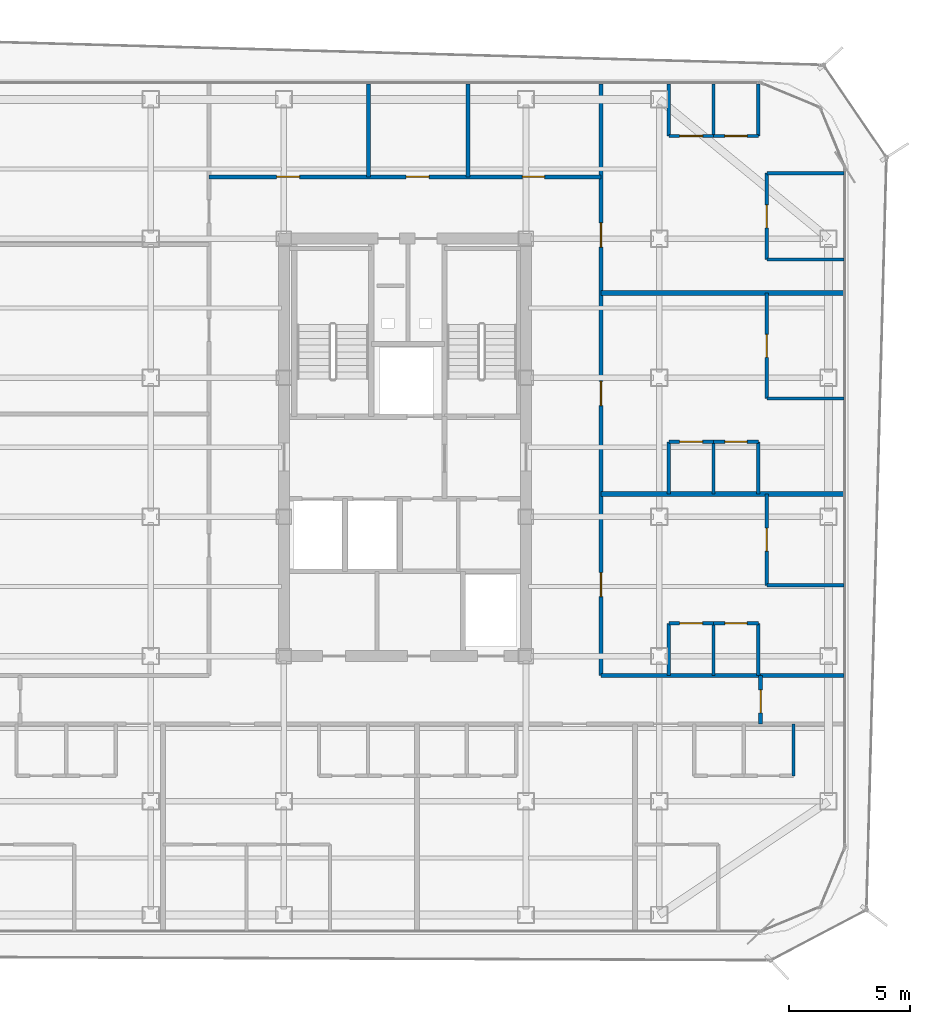
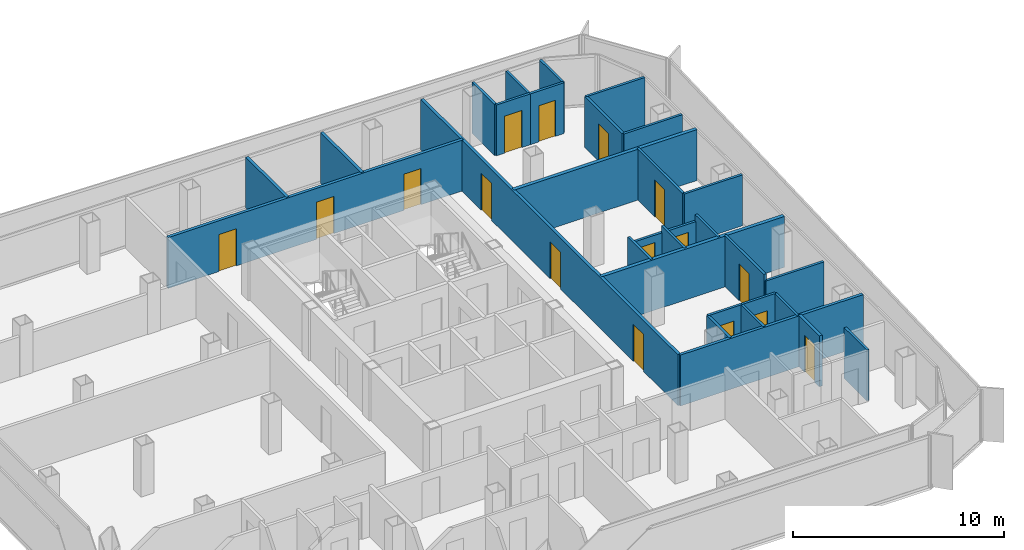
# One storey, part 12 of 16: 32 walls, 16 doors, 16 openings.
"""IFC4 building model written with IfcOpenShell, lengths in metres."""

from ifc_helpers import new_model, si_unit, direction, frame, frame_2d, origin, place, context, subcontext, project, spatial, rectangle, extrude, material, layer, layer_set, type_object, element, fill, save


model = new_model("IFC4")

# Units and contexts
model_context = context("Model", 3, precision=1e-05, world=origin(), true_north=direction((0.0, 1.0)))
body_context = subcontext(model_context, "Body", "Model", "MODEL_VIEW")
ifc_project = project(units=[si_unit("LENGTHUNIT", "METRE"), si_unit("AREAUNIT", "SQUARE_METRE"), si_unit("VOLUMEUNIT", "CUBIC_METRE"), si_unit("PLANEANGLEUNIT", "RADIAN"), si_unit("MASSUNIT", "GRAM", prefix="KILO")], contexts=[model_context])

# Site, building, storey
site_placement = place(None, origin())
site = spatial("IfcSite", under=ifc_project, at=site_placement, CompositionType="ELEMENT")
building_placement = place(site_placement, origin())
building = spatial("IfcBuilding", under=site, at=building_placement, Name="Kolveth Station Tower", CompositionType="ELEMENT")
storey_placement = place(building_placement, frame((0.0, 0.0, 175.300048828125)))
storey = spatial("IfcBuildingStorey", under=building, at=storey_placement, Name="L49", CompositionType="ELEMENT", Elevation=175.300048828125)

# Wall
ifc_material_1 = material(Name="Moisture-resistant gypsum partition")
ifc_layer_1 = layer(ifc_material_1, 0.135009765625)
ifc_layer_set_1 = layer_set([ifc_layer_1], Name="Moisture-resistant gypsum partition")
wall_type_1 = type_object("IfcWallType", Name="Wall_IW-135", PredefinedType="PARTITIONING", material=ifc_layer_set_1)
wall_1_placement = place(storey_placement, frame((39.550048828125, 6.550048828125, 0.0), z_axis=(0.0, 0.0, 1.0), x_axis=(0.0, 1.0, 0.0)))
element("IfcWall", 1, at=wall_1_placement, inside=storey, type_object=wall_type_1, Name="L49 Partition Wall WL-L49-A4-IBV2", PredefinedType="PARTITIONING", context=body_context, shape_type="SweptSolid", body=[
    extrude(rectangle(XDim=2.14990234375, YDim=0.135009765625, at=frame_2d((1.074951171875, 0.0))), origin(), (0.0, 0.0, 1.0), 2.949951171875),
])

# Wall, opening, door
wall_2_placement = place(storey_placement, frame((34.39990234375, 12.85009765625, 0.0), z_axis=(0.0, 0.0, 1.0), x_axis=(1.0, 0.0, 0.0)))
wall_2 = element("IfcWall", 2, at=wall_2_placement, inside=storey, type_object=wall_type_1, Name="L49 Partition Wall WL-L49-E1-IBHK", PredefinedType="PARTITIONING", context=body_context, shape_type="SweptSolid", body=[
    extrude(rectangle(XDim=1.85009765625, YDim=0.135009765625, at=frame_2d((0.925048828125, 0.0))), origin(), (0.0, 0.0, 1.0), 2.949951171875),
])
opening_1_placement = place(wall_2_placement, frame((0.445068359375, 0.0, 0.0)))
opening_1 = element("IfcOpeningElement", 3, at=opening_1_placement, cuts=wall_2, Name="Opening ID1", PredefinedType="OPENING", context=body_context, shape_type="SweptSolid", body=[
    extrude(rectangle(XDim=0.949951171875, YDim=2.14990234375, at=frame_2d((0.47509765625, 1.074951171875))), frame((0.0, 0.077392578125, 0.0), z_axis=(0.0, -1.0, 0.0), x_axis=(1.0, 0.0, 0.0)), (0.0, 0.0, 1.0), 0.155029296875),
])
ifc_material_2 = material(Name="Acoustic hardwood leaf and aluminium frame", Category="wood")
door_type_1 = type_object("IfcDoorType", Name="Door_ID1", OperationType="NOTDEFINED", PredefinedType="DOOR", material=ifc_material_2)
door_1_placement = place(opening_1_placement, origin())
door_1 = element("IfcDoor", 4, at=door_1_placement, inside=storey, type_object=door_type_1, Name="Flat L49-E1 Kitchen Door", OperationType="SINGLE_SWING_LEFT", OverallHeight=2.14990234375, OverallWidth=0.949951171875, PredefinedType="DOOR", context=body_context, shape_type="SweptSolid", body=[
    extrude(rectangle(XDim=0.949951171875, YDim=2.14990234375, at=frame_2d((0.47509765625, 1.074951171875))), frame((0.0, 0.02490234375, 0.0), z_axis=(0.0, -1.0, 0.0), x_axis=(1.0, 0.0, 0.0)), (0.0, 0.0, 1.0), 0.050048828125),
])
fill(opening_1, door_1)

wall_3_placement = place(storey_placement, frame((36.25, 12.85009765625, 0.0), z_axis=(0.0, 0.0, 1.0), x_axis=(1.0, 0.0, 0.0)))
wall_3 = element("IfcWall", 5, at=wall_3_placement, inside=storey, type_object=wall_type_1, Name="L49 Partition Wall WL-L49-E1-IBHB", PredefinedType="PARTITIONING", context=body_context, shape_type="SweptSolid", body=[
    extrude(rectangle(XDim=1.85009765625, YDim=0.135009765625, at=frame_2d((0.925048828125, 0.0))), origin(), (0.0, 0.0, 1.0), 2.949951171875),
])
opening_2_placement = place(wall_3_placement, frame((0.465087890625, 0.0, 0.0)))
opening_2 = element("IfcOpeningElement", 6, at=opening_2_placement, cuts=wall_3, Name="Opening ID2", PredefinedType="OPENING", context=body_context, shape_type="SweptSolid", body=[
    extrude(rectangle(XDim=0.919921875, YDim=2.10009765625, at=frame_2d((0.4599609375, 1.050048828125))), frame((0.0, 0.077392578125, 0.0), z_axis=(0.0, -1.0, 0.0), x_axis=(1.0, 0.0, 0.0)), (0.0, 0.0, 1.0), 0.155029296875),
])
ifc_material_3 = material(Name="Moisture-resistant hardwood leaf", Category="wood")
door_type_2 = type_object("IfcDoorType", Name="Door_ID2", OperationType="NOTDEFINED", PredefinedType="DOOR", material=ifc_material_3)
door_2_placement = place(opening_2_placement, origin())
door_2 = element("IfcDoor", 7, at=door_2_placement, inside=storey, type_object=door_type_2, Name="Flat L49-E1 Bathroom Door", OperationType="SINGLE_SWING_LEFT", OverallHeight=2.10009765625, OverallWidth=0.919921875, PredefinedType="DOOR", context=body_context, shape_type="SweptSolid", body=[
    extrude(rectangle(XDim=0.919921875, YDim=2.10009765625, at=frame_2d((0.4599609375, 1.050048828125))), frame((0.0, 0.02490234375, 0.0), z_axis=(0.0, -1.0, 0.0), x_axis=(1.0, 0.0, 0.0)), (0.0, 0.0, 1.0), 0.050048828125),
])
fill(opening_2, door_2)

# Walls
for number, where, z_axis, x_axis, name in (
    (8, (34.39990234375, 10.699951171875, 0.0), (0.0, 0.0, 1.0), (0.0, 1.0, 0.0), "L49 Partition Wall WL-L49-E1-IBV0"),
    (9, (36.25, 10.699951171875, 0.0), (0.0, 0.0, 1.0), (0.0, 1.0, 0.0), "L49 Partition Wall WL-L49-E1-IBV1"),
    (10, (38.10009765625, 10.699951171875, 0.0), (0.0, 0.0, 1.0), (0.0, 1.0, 0.0), "L49 Partition Wall WL-L49-E1-IBV2"),
):
    element("IfcWall", number, at=place(storey_placement, frame(where, z_axis=z_axis, x_axis=x_axis)), inside=storey, type_object=wall_type_1, Name=name, PredefinedType="PARTITIONING", context=body_context, shape_type="SweptSolid", body=[
        extrude(rectangle(XDim=2.150146484375, YDim=0.135009765625, at=frame_2d((1.0751953125, 0.0))), origin(), (0.0, 0.0, 1.0), 2.949951171875),
    ])
wall_4_placement = place(storey_placement, frame((38.449951171875, 14.419921875, 0.0), z_axis=(0.0, 0.0, 1.0), x_axis=(1.0, 0.0, 0.0)))
element("IfcWall", 11, at=wall_4_placement, inside=storey, type_object=wall_type_1, Name="L49 Partition Wall WL-L49-E1-BDH0", PredefinedType="PARTITIONING", context=body_context, shape_type="SweptSolid", body=[
    extrude(rectangle(XDim=3.18994140625, YDim=0.135009765625, at=frame_2d((1.594970703125, 0.0))), origin(), (0.0, 0.0, 1.0), 2.5830078125),
])

# Wall, opening, door
wall_5_placement = place(storey_placement, frame((38.449951171875, 14.419921875, 0.0), z_axis=(0.0, 0.0, 1.0), x_axis=(0.0, 1.0, 0.0)))
wall_5 = element("IfcWall", 12, at=wall_5_placement, inside=storey, type_object=wall_type_1, Name="L49 Partition Wall WL-L49-E1-BDV1", PredefinedType="PARTITIONING", context=body_context, shape_type="SweptSolid", body=[
    extrude(rectangle(XDim=3.780029296875, YDim=0.135009765625, at=frame_2d((1.89013671875, 0.0))), origin(), (0.0, 0.0, 1.0), 2.949951171875),
])
opening_3_placement = place(wall_5_placement, frame((1.409912109375, 0.0, 0.0)))
opening_3 = element("IfcOpeningElement", 13, at=opening_3_placement, cuts=wall_5, Name="Opening ID1", PredefinedType="OPENING", context=body_context, shape_type="SweptSolid", body=[
    extrude(rectangle(XDim=0.949951171875, YDim=2.14990234375, at=frame_2d((0.47509765625, 1.074951171875))), frame((0.0, 0.077392578125, 0.0), z_axis=(0.0, -1.0, 0.0), x_axis=(1.0, 0.0, 0.0)), (0.0, 0.0, 1.0), 0.155029296875),
])
door_3_placement = place(opening_3_placement, frame((0.949951171875, 0.0, 0.0), z_axis=(0.0, 0.0, 1.0), x_axis=(-1.0, 0.0, 0.0)))
door_3 = element("IfcDoor", 14, at=door_3_placement, inside=storey, type_object=door_type_1, Name="Flat L49-E1 Bedroom 1 Door", OperationType="SINGLE_SWING_LEFT", OverallHeight=2.14990234375, OverallWidth=0.949951171875, PredefinedType="DOOR", context=body_context, shape_type="SweptSolid", body=[
    extrude(rectangle(XDim=0.949951171875, YDim=2.14990234375, at=frame_2d((0.47509765625, 1.074951171875))), frame((0.0, 0.02490234375, 0.0), z_axis=(0.0, -1.0, 0.0), x_axis=(1.0, 0.0, 0.0)), (0.0, 0.0, 1.0), 0.050048828125),
])
fill(opening_3, door_3)

wall_6_placement = place(storey_placement, frame((34.39990234375, 20.35009765625, 0.0), z_axis=(0.0, 0.0, 1.0), x_axis=(1.0, 0.0, 0.0)))
wall_6 = element("IfcWall", 15, at=wall_6_placement, inside=storey, type_object=wall_type_1, Name="L49 Partition Wall WL-L49-E2-IBHK", PredefinedType="PARTITIONING", context=body_context, shape_type="SweptSolid", body=[
    extrude(rectangle(XDim=1.85009765625, YDim=0.135009765625, at=frame_2d((0.925048828125, 0.0))), origin(), (0.0, 0.0, 1.0), 2.5830078125),
])
opening_4_placement = place(wall_6_placement, frame((0.445068359375, 0.0, 0.0)))
opening_4 = element("IfcOpeningElement", 16, at=opening_4_placement, cuts=wall_6, Name="Opening ID1", PredefinedType="OPENING", context=body_context, shape_type="SweptSolid", body=[
    extrude(rectangle(XDim=0.949951171875, YDim=2.14990234375, at=frame_2d((0.47509765625, 1.074951171875))), frame((0.0, 0.077392578125, 0.0), z_axis=(0.0, -1.0, 0.0), x_axis=(1.0, 0.0, 0.0)), (0.0, 0.0, 1.0), 0.155029296875),
])
door_4_placement = place(opening_4_placement, origin())
door_4 = element("IfcDoor", 17, at=door_4_placement, inside=storey, type_object=door_type_1, Name="Flat L49-E2 Kitchen Door", OperationType="SINGLE_SWING_LEFT", OverallHeight=2.14990234375, OverallWidth=0.949951171875, PredefinedType="DOOR", context=body_context, shape_type="SweptSolid", body=[
    extrude(rectangle(XDim=0.949951171875, YDim=2.14990234375, at=frame_2d((0.47509765625, 1.074951171875))), frame((0.0, 0.02490234375, 0.0), z_axis=(0.0, -1.0, 0.0), x_axis=(1.0, 0.0, 0.0)), (0.0, 0.0, 1.0), 0.050048828125),
])
fill(opening_4, door_4)

wall_7_placement = place(storey_placement, frame((36.25, 20.35009765625, 0.0), z_axis=(0.0, 0.0, 1.0), x_axis=(1.0, 0.0, 0.0)))
wall_7 = element("IfcWall", 18, at=wall_7_placement, inside=storey, type_object=wall_type_1, Name="L49 Partition Wall WL-L49-E2-IBHB", PredefinedType="PARTITIONING", context=body_context, shape_type="SweptSolid", body=[
    extrude(rectangle(XDim=1.85009765625, YDim=0.135009765625, at=frame_2d((0.925048828125, 0.0))), origin(), (0.0, 0.0, 1.0), 2.5830078125),
])
opening_5_placement = place(wall_7_placement, frame((0.465087890625, 0.0, 0.0)))
opening_5 = element("IfcOpeningElement", 19, at=opening_5_placement, cuts=wall_7, Name="Opening ID2", PredefinedType="OPENING", context=body_context, shape_type="SweptSolid", body=[
    extrude(rectangle(XDim=0.919921875, YDim=2.10009765625, at=frame_2d((0.4599609375, 1.050048828125))), frame((0.0, 0.077392578125, 0.0), z_axis=(0.0, -1.0, 0.0), x_axis=(1.0, 0.0, 0.0)), (0.0, 0.0, 1.0), 0.155029296875),
])
door_5_placement = place(opening_5_placement, origin())
door_5 = element("IfcDoor", 20, at=door_5_placement, inside=storey, type_object=door_type_2, Name="Flat L49-E2 Bathroom Door", OperationType="SINGLE_SWING_RIGHT", OverallHeight=2.10009765625, OverallWidth=0.919921875, PredefinedType="DOOR", context=body_context, shape_type="SweptSolid", body=[
    extrude(rectangle(XDim=0.919921875, YDim=2.10009765625, at=frame_2d((0.4599609375, 1.050048828125))), frame((0.0, 0.02490234375, 0.0), z_axis=(0.0, -1.0, 0.0), x_axis=(1.0, 0.0, 0.0)), (0.0, 0.0, 1.0), 0.050048828125),
])
fill(opening_5, door_5)

# Walls
for number, where, z_axis, x_axis, name in (
    (21, (34.39990234375, 18.199951171875, 0.0), (0.0, 0.0, 1.0), (0.0, 1.0, 0.0), "L49 Partition Wall WL-L49-E2-IBV0"),
    (22, (36.25, 18.199951171875, 0.0), (0.0, 0.0, 1.0), (0.0, 1.0, 0.0), "L49 Partition Wall WL-L49-E2-IBV1"),
    (23, (38.10009765625, 18.199951171875, 0.0), (0.0, 0.0, 1.0), (0.0, 1.0, 0.0), "L49 Partition Wall WL-L49-E2-IBV2"),
):
    element("IfcWall", number, at=place(storey_placement, frame(where, z_axis=z_axis, x_axis=x_axis)), inside=storey, type_object=wall_type_1, Name=name, PredefinedType="PARTITIONING", context=body_context, shape_type="SweptSolid", body=[
        extrude(rectangle(XDim=2.150146484375, YDim=0.135009765625, at=frame_2d((1.0751953125, 0.0))), origin(), (0.0, 0.0, 1.0), 2.949951171875),
    ])
wall_8_placement = place(storey_placement, frame((38.449951171875, 22.14404296875, 0.0), z_axis=(0.0, 0.0, 1.0), x_axis=(1.0, 0.0, 0.0)))
element("IfcWall", 24, at=wall_8_placement, inside=storey, type_object=wall_type_1, Name="L49 Partition Wall WL-L49-E2-BDH0", PredefinedType="PARTITIONING", context=body_context, shape_type="SweptSolid", body=[
    extrude(rectangle(XDim=3.18994140625, YDim=0.135009765625, at=frame_2d((1.594970703125, 0.0))), origin(), (0.0, 0.0, 1.0), 2.949951171875),
])

# Wall, opening, door
wall_9_placement = place(storey_placement, frame((38.449951171875, 22.14404296875, 0.0), z_axis=(0.0, 0.0, 1.0), x_axis=(0.0, 1.0, 0.0)))
wall_9 = element("IfcWall", 25, at=wall_9_placement, inside=storey, type_object=wall_type_1, Name="L49 Partition Wall WL-L49-E2-BDV1", PredefinedType="PARTITIONING", context=body_context, shape_type="SweptSolid", body=[
    extrude(rectangle(XDim=4.35595703125, YDim=0.135009765625, at=frame_2d((2.177978515625, 0.0))), origin(), (0.0, 0.0, 1.0), 2.949951171875),
])
opening_6_placement = place(wall_9_placement, frame((1.697998046875, 0.0, 0.0)))
opening_6 = element("IfcOpeningElement", 26, at=opening_6_placement, cuts=wall_9, Name="Opening ID1", PredefinedType="OPENING", context=body_context, shape_type="SweptSolid", body=[
    extrude(rectangle(XDim=0.949951171875, YDim=2.14990234375, at=frame_2d((0.47509765625, 1.074951171875))), frame((0.0, 0.077392578125, 0.0), z_axis=(0.0, -1.0, 0.0), x_axis=(1.0, 0.0, 0.0)), (0.0, 0.0, 1.0), 0.155029296875),
])
door_6_placement = place(opening_6_placement, frame((0.949951171875, 0.0, 0.0), z_axis=(0.0, 0.0, 1.0), x_axis=(-1.0, 0.0, 0.0)))
door_6 = element("IfcDoor", 27, at=door_6_placement, inside=storey, type_object=door_type_1, Name="Flat L49-E2 Bedroom 1 Door", OperationType="SINGLE_SWING_LEFT", OverallHeight=2.14990234375, OverallWidth=0.949951171875, PredefinedType="DOOR", context=body_context, shape_type="SweptSolid", body=[
    extrude(rectangle(XDim=0.949951171875, YDim=2.14990234375, at=frame_2d((0.47509765625, 1.074951171875))), frame((0.0, 0.02490234375, 0.0), z_axis=(0.0, -1.0, 0.0), x_axis=(1.0, 0.0, 0.0)), (0.0, 0.0, 1.0), 0.050048828125),
])
fill(opening_6, door_6)

wall_10_placement = place(storey_placement, frame((34.39990234375, 32.989990234375, 0.0), z_axis=(0.0, 0.0, 1.0), x_axis=(1.0, 0.0, 0.0)))
wall_10 = element("IfcWall", 28, at=wall_10_placement, inside=storey, type_object=wall_type_1, Name="L49 Partition Wall WL-L49-E3-IBHK", PredefinedType="PARTITIONING", context=body_context, shape_type="SweptSolid", body=[
    extrude(rectangle(XDim=1.85009765625, YDim=0.135009765625, at=frame_2d((0.925048828125, 0.0))), origin(), (0.0, 0.0, 1.0), 2.949951171875),
])
opening_7_placement = place(wall_10_placement, frame((0.445068359375, 0.0, 0.0)))
opening_7 = element("IfcOpeningElement", 29, at=opening_7_placement, cuts=wall_10, Name="Opening ID1", PredefinedType="OPENING", context=body_context, shape_type="SweptSolid", body=[
    extrude(rectangle(XDim=0.949951171875, YDim=2.14990234375, at=frame_2d((0.47509765625, 1.074951171875))), frame((0.0, 0.077392578125, 0.0), z_axis=(0.0, -1.0, 0.0), x_axis=(1.0, 0.0, 0.0)), (0.0, 0.0, 1.0), 0.155029296875),
])
door_7_placement = place(opening_7_placement, frame((0.949951171875, 0.0, 0.0), z_axis=(0.0, 0.0, 1.0), x_axis=(-1.0, 0.0, 0.0)))
door_7 = element("IfcDoor", 30, at=door_7_placement, inside=storey, type_object=door_type_1, Name="Flat L49-E3 Kitchen Door", OperationType="SINGLE_SWING_LEFT", OverallHeight=2.14990234375, OverallWidth=0.949951171875, PredefinedType="DOOR", context=body_context, shape_type="SweptSolid", body=[
    extrude(rectangle(XDim=0.949951171875, YDim=2.14990234375, at=frame_2d((0.47509765625, 1.074951171875))), frame((0.0, 0.02490234375, 0.0), z_axis=(0.0, -1.0, 0.0), x_axis=(1.0, 0.0, 0.0)), (0.0, 0.0, 1.0), 0.050048828125),
])
fill(opening_7, door_7)

wall_11_placement = place(storey_placement, frame((36.25, 32.989990234375, 0.0), z_axis=(0.0, 0.0, 1.0), x_axis=(1.0, 0.0, 0.0)))
wall_11 = element("IfcWall", 31, at=wall_11_placement, inside=storey, type_object=wall_type_1, Name="L49 Partition Wall WL-L49-E3-IBHB", PredefinedType="PARTITIONING", context=body_context, shape_type="SweptSolid", body=[
    extrude(rectangle(XDim=1.85009765625, YDim=0.135009765625, at=frame_2d((0.925048828125, 0.0))), origin(), (0.0, 0.0, 1.0), 2.949951171875),
])
opening_8_placement = place(wall_11_placement, frame((0.465087890625, 0.0, 0.0)))
opening_8 = element("IfcOpeningElement", 32, at=opening_8_placement, cuts=wall_11, Name="Opening ID2", PredefinedType="OPENING", context=body_context, shape_type="SweptSolid", body=[
    extrude(rectangle(XDim=0.919921875, YDim=2.10009765625, at=frame_2d((0.4599609375, 1.050048828125))), frame((0.0, 0.077392578125, 0.0), z_axis=(0.0, -1.0, 0.0), x_axis=(1.0, 0.0, 0.0)), (0.0, 0.0, 1.0), 0.155029296875),
])
door_8_placement = place(opening_8_placement, frame((0.919921875, 0.0, 0.0), z_axis=(0.0, 0.0, 1.0), x_axis=(-1.0, 0.0, 0.0)))
door_8 = element("IfcDoor", 33, at=door_8_placement, inside=storey, type_object=door_type_2, Name="Flat L49-E3 Bathroom Door", OperationType="SINGLE_SWING_RIGHT", OverallHeight=2.10009765625, OverallWidth=0.919921875, PredefinedType="DOOR", context=body_context, shape_type="SweptSolid", body=[
    extrude(rectangle(XDim=0.919921875, YDim=2.10009765625, at=frame_2d((0.4599609375, 1.050048828125))), frame((0.0, 0.02490234375, 0.0), z_axis=(0.0, -1.0, 0.0), x_axis=(1.0, 0.0, 0.0)), (0.0, 0.0, 1.0), 0.050048828125),
])
fill(opening_8, door_8)

# Walls
for number, where, z_axis, x_axis, name in (
    (34, (34.39990234375, 32.989990234375, 0.0), (0.0, 0.0, 1.0), (0.0, 1.0, 0.0), "L49 Partition Wall WL-L49-E3-IBV0"),
    (35, (36.25, 32.989990234375, 0.0), (0.0, 0.0, 1.0), (0.0, 1.0, 0.0), "L49 Partition Wall WL-L49-E3-IBV1"),
    (36, (38.10009765625, 32.989990234375, 0.0), (0.0, 0.0, 1.0), (0.0, 1.0, 0.0), "L49 Partition Wall WL-L49-E3-IBV2"),
):
    element("IfcWall", number, at=place(storey_placement, frame(where, z_axis=z_axis, x_axis=x_axis)), inside=storey, type_object=wall_type_1, Name=name, PredefinedType="PARTITIONING", context=body_context, shape_type="SweptSolid", body=[
        extrude(rectangle(XDim=2.14990234375, YDim=0.135009765625, at=frame_2d((1.074951171875, 0.0))), origin(), (0.0, 0.0, 1.0), 2.949951171875),
    ])
for number, where, z_axis, x_axis, name in (
    (37, (38.449951171875, 27.885986328125, 0.0), (0.0, 0.0, 1.0), (1.0, 0.0, 0.0), "L49 Partition Wall WL-L49-E3-BDH0"),
    (38, (38.449951171875, 31.449951171875, 0.0), (0.0, 0.0, 1.0), (1.0, 0.0, 0.0), "L49 Partition Wall WL-L49-E3-BDHE"),
):
    element("IfcWall", number, at=place(storey_placement, frame(where, z_axis=z_axis, x_axis=x_axis)), inside=storey, type_object=wall_type_1, Name=name, PredefinedType="PARTITIONING", context=body_context, shape_type="SweptSolid", body=[
        extrude(rectangle(XDim=3.18994140625, YDim=0.135009765625, at=frame_2d((1.594970703125, 0.0))), origin(), (0.0, 0.0, 1.0), 2.949951171875),
    ])

# Wall, opening, door
wall_12_placement = place(storey_placement, frame((38.449951171875, 27.885986328125, 0.0), z_axis=(0.0, 0.0, 1.0), x_axis=(0.0, 1.0, 0.0)))
wall_12 = element("IfcWall", 39, at=wall_12_placement, inside=storey, type_object=wall_type_1, Name="L49 Partition Wall WL-L49-E3-BDV1", PredefinedType="PARTITIONING", context=body_context, shape_type="SweptSolid", body=[
    extrude(rectangle(XDim=3.56396484375, YDim=0.135009765625, at=frame_2d((1.781982421875, 0.0))), origin(), (0.0, 0.0, 1.0), 2.949951171875),
])
opening_9_placement = place(wall_12_placement, frame((1.302001953125, 0.0, 0.0)))
opening_9 = element("IfcOpeningElement", 40, at=opening_9_placement, cuts=wall_12, Name="Opening ID1", PredefinedType="OPENING", context=body_context, shape_type="SweptSolid", body=[
    extrude(rectangle(XDim=0.949951171875, YDim=2.14990234375, at=frame_2d((0.47509765625, 1.074951171875))), frame((0.0, 0.077392578125, 0.0), z_axis=(0.0, -1.0, 0.0), x_axis=(1.0, 0.0, 0.0)), (0.0, 0.0, 1.0), 0.155029296875),
])
door_9_placement = place(opening_9_placement, frame((0.949951171875, 0.0, 0.0), z_axis=(0.0, 0.0, 1.0), x_axis=(-1.0, 0.0, 0.0)))
door_9 = element("IfcDoor", 41, at=door_9_placement, inside=storey, type_object=door_type_1, Name="Flat L49-E3 Bedroom 1 Door", OperationType="SINGLE_SWING_LEFT", OverallHeight=2.14990234375, OverallWidth=0.949951171875, PredefinedType="DOOR", context=body_context, shape_type="SweptSolid", body=[
    extrude(rectangle(XDim=0.949951171875, YDim=2.14990234375, at=frame_2d((0.47509765625, 1.074951171875))), frame((0.0, 0.02490234375, 0.0), z_axis=(0.0, -1.0, 0.0), x_axis=(1.0, 0.0, 0.0)), (0.0, 0.0, 1.0), 0.050048828125),
])
fill(opening_9, door_9)

# Wall
ifc_material_4 = material(Name="Acoustic double-stud gypsum partition")
ifc_layer_2 = layer(ifc_material_4, 0.1650390625)
ifc_layer_set_2 = layer_set([ifc_layer_2], Name="Acoustic double-stud gypsum partition")
wall_type_2 = type_object("IfcWallType", Name="Wall_IW-165", PredefinedType="PARTITIONING", material=ifc_layer_set_2)
wall_13_placement = place(storey_placement, frame((31.60009765625, 10.699951171875, 0.0), z_axis=(0.0, 0.0, 1.0), x_axis=(1.0, 0.0, 0.0)))
element("IfcWall", 42, at=wall_13_placement, inside=storey, type_object=wall_type_2, Name="L49 Partition Wall WL-L49-RSET", PredefinedType="PARTITIONING", context=body_context, shape_type="SweptSolid", body=[
    extrude(rectangle(XDim=6.599853515625, YDim=0.1650390625, at=frame_2d((3.2998046875, 0.0))), origin(), (0.0, 0.0, 1.0), 2.949951171875),
])

# Wall, opening, door
wall_14_placement = place(storey_placement, frame((38.199951171875, 8.699951171875, 0.0), z_axis=(0.0, 0.0, 1.0), x_axis=(0.0, 1.0, 0.0)))
wall_14 = element("IfcWall", 43, at=wall_14_placement, inside=storey, type_object=wall_type_2, Name="L49 Partition Wall WL-L49-RSEE", PredefinedType="PARTITIONING", context=body_context, shape_type="SweptSolid", body=[
    extrude(rectangle(XDim=2.0, YDim=0.1650390625, at=frame_2d((1.0, 0.0))), origin(), (0.0, 0.0, 1.0), 2.949951171875),
])
opening_10_placement = place(wall_14_placement, frame((0.449951171875, 0.0, 0.0)))
opening_10 = element("IfcOpeningElement", 44, at=opening_10_placement, cuts=wall_14, Name="Opening ID1", PredefinedType="OPENING", context=body_context, shape_type="SweptSolid", body=[
    extrude(rectangle(XDim=0.949951171875, YDim=2.14990234375, at=frame_2d((0.47509765625, 1.074951171875))), frame((0.0, 0.092529296875, 0.0), z_axis=(0.0, -1.0, 0.0), x_axis=(1.0, 0.0, 0.0)), (0.0, 0.0, 1.0), 0.18505859375),
])
door_10_placement = place(opening_10_placement, origin())
door_10 = element("IfcDoor", 45, at=door_10_placement, inside=storey, type_object=door_type_1, Name="L49 Hobby Study Door", OperationType="SINGLE_SWING_LEFT", OverallHeight=2.14990234375, OverallWidth=0.949951171875, PredefinedType="DOOR", context=body_context, shape_type="SweptSolid", body=[
    extrude(rectangle(XDim=0.949951171875, YDim=2.14990234375, at=frame_2d((0.47509765625, 1.074951171875))), frame((0.0, 0.02490234375, 0.0), z_axis=(0.0, -1.0, 0.0), x_axis=(1.0, 0.0, 0.0)), (0.0, 0.0, 1.0), 0.050048828125),
])
fill(opening_10, door_10)

# Wall, openings, doors
wall_15_placement = place(storey_placement, frame((15.39990234375, 31.300048828125, 0.0), z_axis=(0.0, 0.0, 1.0), x_axis=(1.0, 0.0, 0.0)))
wall_15 = element("IfcWall", 46, at=wall_15_placement, inside=storey, type_object=wall_type_2, Name="L49 Partition Wall WL-L49-RN", PredefinedType="PARTITIONING", context=body_context, shape_type="SweptSolid", body=[
    extrude(rectangle(XDim=16.2001953125, YDim=0.1650390625, at=frame_2d((8.10009765625, 0.0))), origin(), (0.0, 0.0, 1.0), 2.949951171875),
])
opening_11_placement = place(wall_15_placement, frame((2.800048828125, 0.0, 0.0)))
opening_11 = element("IfcOpeningElement", 47, at=opening_11_placement, cuts=wall_15, Name="Opening ID1", PredefinedType="OPENING", context=body_context, shape_type="SweptSolid", body=[
    extrude(rectangle(XDim=0.949951171875, YDim=2.14990234375, at=frame_2d((0.47509765625, 1.074951171875))), frame((0.0, 0.092529296875, 0.0), z_axis=(0.0, -1.0, 0.0), x_axis=(1.0, 0.0, 0.0)), (0.0, 0.0, 1.0), 0.18505859375),
])
opening_12_placement = place(wall_15_placement, frame((8.14990234375, 0.0, 0.0)))
opening_12 = element("IfcOpeningElement", 48, at=opening_12_placement, cuts=wall_15, Name="Opening ID1", PredefinedType="OPENING", context=body_context, shape_type="SweptSolid", body=[
    extrude(rectangle(XDim=0.949951171875, YDim=2.14990234375, at=frame_2d((0.47509765625, 1.074951171875))), frame((0.0, 0.092529296875, 0.0), z_axis=(0.0, -1.0, 0.0), x_axis=(1.0, 0.0, 0.0)), (0.0, 0.0, 1.0), 0.18505859375),
])
opening_13_placement = place(wall_15_placement, frame((12.949951171875, 0.0, 0.0)))
opening_13 = element("IfcOpeningElement", 49, at=opening_13_placement, cuts=wall_15, Name="Opening ID2", PredefinedType="OPENING", context=body_context, shape_type="SweptSolid", body=[
    extrude(rectangle(XDim=0.919921875, YDim=2.10009765625, at=frame_2d((0.4599609375, 1.050048828125))), frame((0.0, 0.092529296875, 0.0), z_axis=(0.0, -1.0, 0.0), x_axis=(1.0, 0.0, 0.0)), (0.0, 0.0, 1.0), 0.18505859375),
])
door_11_placement = place(opening_11_placement, origin())
door_11 = element("IfcDoor", 50, at=door_11_placement, inside=storey, type_object=door_type_1, Name="L49 Residents' Study Lounge Door", OperationType="SINGLE_SWING_LEFT", OverallHeight=2.14990234375, OverallWidth=0.949951171875, PredefinedType="DOOR", context=body_context, shape_type="SweptSolid", body=[
    extrude(rectangle(XDim=0.949951171875, YDim=2.14990234375, at=frame_2d((0.47509765625, 1.074951171875))), frame((0.0, 0.02490234375, 0.0), z_axis=(0.0, -1.0, 0.0), x_axis=(1.0, 0.0, 0.0)), (0.0, 0.0, 1.0), 0.050048828125),
])
fill(opening_11, door_11)
door_12_placement = place(opening_12_placement, origin())
door_12 = element("IfcDoor", 51, at=door_12_placement, inside=storey, type_object=door_type_1, Name="L49 Residents' Linen Store Door", OperationType="SINGLE_SWING_RIGHT", OverallHeight=2.14990234375, OverallWidth=0.949951171875, PredefinedType="DOOR", context=body_context, shape_type="SweptSolid", body=[
    extrude(rectangle(XDim=0.949951171875, YDim=2.14990234375, at=frame_2d((0.47509765625, 1.074951171875))), frame((0.0, 0.02490234375, 0.0), z_axis=(0.0, -1.0, 0.0), x_axis=(1.0, 0.0, 0.0)), (0.0, 0.0, 1.0), 0.050048828125),
])
fill(opening_12, door_12)
door_13_placement = place(opening_13_placement, origin())
door_13 = element("IfcDoor", 52, at=door_13_placement, inside=storey, type_object=door_type_2, Name="L49 Accessible Residents' WC Door", OperationType="SINGLE_SWING_LEFT", OverallHeight=2.10009765625, OverallWidth=0.919921875, PredefinedType="DOOR", context=body_context, shape_type="SweptSolid", body=[
    extrude(rectangle(XDim=0.919921875, YDim=2.10009765625, at=frame_2d((0.4599609375, 1.050048828125))), frame((0.0, 0.02490234375, 0.0), z_axis=(0.0, -1.0, 0.0), x_axis=(1.0, 0.0, 0.0)), (0.0, 0.0, 1.0), 0.050048828125),
])
fill(opening_13, door_13)

wall_16_placement = place(storey_placement, frame((31.60009765625, 10.699951171875, 0.0), z_axis=(0.0, 0.0, 1.0), x_axis=(0.0, 1.0, 0.0)))
wall_16 = element("IfcWall", 53, at=wall_16_placement, inside=storey, type_object=wall_type_2, Name="L49 Partition Wall WL-L49-RE", PredefinedType="PARTITIONING", context=body_context, shape_type="SweptSolid", body=[
    extrude(rectangle(XDim=24.43994140625, YDim=0.1650390625, at=frame_2d((12.219970703125, 0.0))), origin(), (0.0, 0.0, 1.0), 2.949951171875),
])
opening_14_placement = place(wall_16_placement, frame((3.25, 0.0, 0.0)))
opening_14 = element("IfcOpeningElement", 54, at=opening_14_placement, cuts=wall_16, Name="Opening FD3", PredefinedType="OPENING", context=body_context, shape_type="SweptSolid", body=[
    extrude(rectangle(XDim=1.0, YDim=2.14990234375, at=frame_2d((0.5, 1.074951171875))), frame((0.0, 0.092529296875, 0.0), z_axis=(0.0, -1.0, 0.0), x_axis=(1.0, 0.0, 0.0)), (0.0, 0.0, 1.0), 0.18505859375),
])
opening_15_placement = place(wall_16_placement, frame((11.14990234375, 0.0, 0.0)))
opening_15 = element("IfcOpeningElement", 55, at=opening_15_placement, cuts=wall_16, Name="Opening FD3", PredefinedType="OPENING", context=body_context, shape_type="SweptSolid", body=[
    extrude(rectangle(XDim=1.0, YDim=2.14990234375, at=frame_2d((0.5, 1.074951171875))), frame((0.0, 0.092529296875, 0.0), z_axis=(0.0, -1.0, 0.0), x_axis=(1.0, 0.0, 0.0)), (0.0, 0.0, 1.0), 0.18505859375),
])
opening_16_placement = place(wall_16_placement, frame((17.699951171875, 0.0, 0.0)))
opening_16 = element("IfcOpeningElement", 56, at=opening_16_placement, cuts=wall_16, Name="Opening FD3", PredefinedType="OPENING", context=body_context, shape_type="SweptSolid", body=[
    extrude(rectangle(XDim=1.0, YDim=2.14990234375, at=frame_2d((0.5, 1.074951171875))), frame((0.0, 0.092529296875, 0.0), z_axis=(0.0, -1.0, 0.0), x_axis=(1.0, 0.0, 0.0)), (0.0, 0.0, 1.0), 0.18505859375),
])
ifc_material_5 = material(Name="Fire-rated hardwood leaf and aluminium frame", Category="wood")
door_type_3 = type_object("IfcDoorType", Name="Door_FD3", OperationType="NOTDEFINED", PredefinedType="DOOR", material=ifc_material_5)
door_14_placement = place(opening_14_placement, frame((1.0, 0.0, 0.0), z_axis=(0.0, 0.0, 1.0), x_axis=(-1.0, 0.0, 0.0)))
door_14 = element("IfcDoor", 57, at=door_14_placement, inside=storey, type_object=door_type_3, Name="Flat L49-E1 Entrance Door", OperationType="SINGLE_SWING_RIGHT", OverallHeight=2.14990234375, OverallWidth=1.0, PredefinedType="DOOR", context=body_context, shape_type="SweptSolid", body=[
    extrude(rectangle(XDim=1.0, YDim=2.14990234375, at=frame_2d((0.5, 1.074951171875))), frame((0.0, 0.02490234375, 0.0), z_axis=(0.0, -1.0, 0.0), x_axis=(1.0, 0.0, 0.0)), (0.0, 0.0, 1.0), 0.050048828125),
])
fill(opening_14, door_14)
door_15_placement = place(opening_15_placement, frame((1.0, 0.0, 0.0), z_axis=(0.0, 0.0, 1.0), x_axis=(-1.0, 0.0, 0.0)))
door_15 = element("IfcDoor", 58, at=door_15_placement, inside=storey, type_object=door_type_3, Name="Flat L49-E2 Entrance Door", OperationType="SINGLE_SWING_RIGHT", OverallHeight=2.14990234375, OverallWidth=1.0, PredefinedType="DOOR", context=body_context, shape_type="SweptSolid", body=[
    extrude(rectangle(XDim=1.0, YDim=2.14990234375, at=frame_2d((0.5, 1.074951171875))), frame((0.0, 0.02490234375, 0.0), z_axis=(0.0, -1.0, 0.0), x_axis=(1.0, 0.0, 0.0)), (0.0, 0.0, 1.0), 0.050048828125),
])
fill(opening_15, door_15)
door_16_placement = place(opening_16_placement, frame((1.0, 0.0, 0.0), z_axis=(0.0, 0.0, 1.0), x_axis=(-1.0, 0.0, 0.0)))
door_16 = element("IfcDoor", 59, at=door_16_placement, inside=storey, type_object=door_type_3, Name="Flat L49-E3 Entrance Door", OperationType="SINGLE_SWING_LEFT", OverallHeight=2.14990234375, OverallWidth=1.0, PredefinedType="DOOR", context=body_context, shape_type="SweptSolid", body=[
    extrude(rectangle(XDim=1.0, YDim=2.14990234375, at=frame_2d((0.5, 1.074951171875))), frame((0.0, 0.02490234375, 0.0), z_axis=(0.0, -1.0, 0.0), x_axis=(1.0, 0.0, 0.0)), (0.0, 0.0, 1.0), 0.050048828125),
])
fill(opening_16, door_16)

# Walls
wall_17_placement = place(storey_placement, frame((38.199951171875, 10.699951171875, 0.0), z_axis=(0.0, 0.0, 1.0), x_axis=(1.0, 0.0, 0.0)))
element("IfcWall", 60, at=wall_17_placement, inside=storey, type_object=wall_type_2, Name="L49 Partition Wall WL-L49-ESTN", PredefinedType="PARTITIONING", context=body_context, shape_type="SweptSolid", body=[
    extrude(rectangle(XDim=3.43994140625, YDim=0.1650390625, at=frame_2d((1.719970703125, 0.0))), origin(), (0.0, 0.0, 1.0), 2.949951171875),
])
for number, where, z_axis, x_axis, name in (
    (61, (22.0, 31.300048828125, 0.0), (0.0, 0.0, 1.0), (0.0, 1.0, 0.0), "L49 Partition Wall WL-L49-RN-P1"),
    (62, (26.10009765625, 31.300048828125, 0.0), (0.0, 0.0, 1.0), (0.0, 1.0, 0.0), "L49 Partition Wall WL-L49-RN-P2"),
):
    element("IfcWall", number, at=place(storey_placement, frame(where, z_axis=z_axis, x_axis=x_axis)), inside=storey, type_object=wall_type_2, Name=name, PredefinedType="PARTITIONING", context=body_context, shape_type="SweptSolid", body=[
        extrude(rectangle(XDim=3.83984375, YDim=0.1650390625, at=frame_2d((1.919921875, 0.0))), origin(), (0.0, 0.0, 1.0), 2.949951171875),
    ])
ifc_material_6 = material(Name="Acoustic fire-rated gypsum blockwork", Category="masonry")
ifc_layer_3 = layer(ifc_material_6, 0.199951171875)
ifc_layer_set_3 = layer_set([ifc_layer_3], Name="Acoustic fire-rated gypsum blockwork")
wall_type_3 = type_object("IfcWallType", Name="Wall_IW-200", PredefinedType="PARTITIONING", material=ifc_layer_set_3)
for number, where, z_axis, x_axis, name in (
    (63, (31.60009765625, 18.199951171875, 0.0), (0.0, 0.0, 1.0), (1.0, 0.0, 0.0), "L49 Partition Wall WL-L49-REU-1"),
    (64, (31.60009765625, 26.5, 0.0), (0.0, 0.0, 1.0), (1.0, 0.0, 0.0), "L49 Partition Wall WL-L49-REU-2"),
):
    element("IfcWall", number, at=place(storey_placement, frame(where, z_axis=z_axis, x_axis=x_axis)), inside=storey, type_object=wall_type_3, Name=name, PredefinedType="PARTITIONING", context=body_context, shape_type="SweptSolid", body=[
        extrude(rectangle(XDim=10.039794921875, YDim=0.199951171875, at=frame_2d((5.02001953125, 0.0))), origin(), (0.0, 0.0, 1.0), 2.949951171875),
    ])

save(model, "model.ifc")
